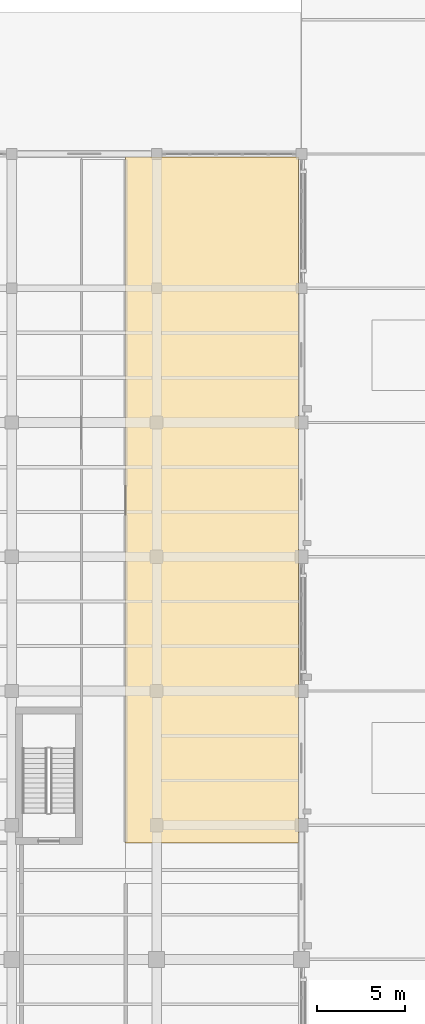
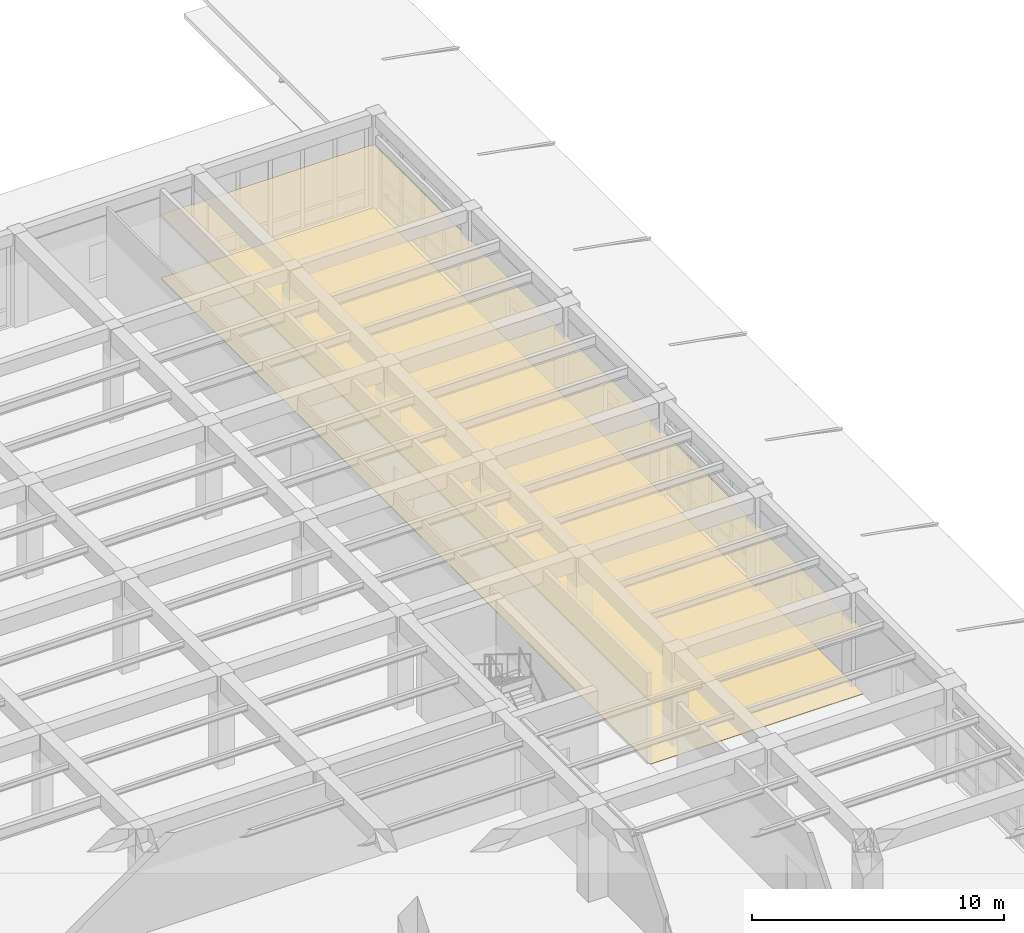
# One storey, part 56 of 57: 2 coverings.
"""IFC4 building model written with IfcOpenShell, lengths in metres."""

from ifc_helpers import new_model, si_unit, direction, frame, origin, place, context, subcontext, project, spatial, polyline, outline, extrude, material, layer, layer_set, type_object, element, save


model = new_model("IFC4")

# Units and contexts
model_context = context("Model", 3, precision=1e-05, world=origin(), true_north=direction((0.0, 1.0)))
body_context = subcontext(model_context, "Body", "Model", "MODEL_VIEW")
ifc_project = project(units=[si_unit("LENGTHUNIT", "METRE"), si_unit("AREAUNIT", "SQUARE_METRE"), si_unit("VOLUMEUNIT", "CUBIC_METRE"), si_unit("PLANEANGLEUNIT", "RADIAN"), si_unit("MASSUNIT", "GRAM", prefix="KILO")], contexts=[model_context])

# Site, building, storey
site_placement = place(None, origin())
site = spatial("IfcSite", under=ifc_project, at=site_placement, CompositionType="ELEMENT")
building_placement = place(site_placement, origin())
building = spatial("IfcBuilding", under=site, at=building_placement, Name="Qandaris Square Conservatory and Botanical Centre", CompositionType="ELEMENT")
storey_placement = place(building_placement, frame((0.0, 0.0, 5.39990234375)))
storey = spatial("IfcBuildingStorey", under=building, at=storey_placement, Name="L01", CompositionType="ELEMENT", Elevation=5.39990234375)

# Coverings
ifc_material_1 = material(Name="Gypsum Plasterboard", Category="gypsum")
ifc_layer_1 = layer(ifc_material_1, 0.02490234375)
ifc_layer_set_1 = layer_set([ifc_layer_1], Name="Gypsum Plasterboard")
covering_type_1 = type_object("IfcCoveringType", Name="Perforated Acoustic Lab Ceiling Tile", PredefinedType="CEILING", material=ifc_layer_set_1)
covering_1_placement = place(storey_placement, frame((0.0, 0.0, 3.050048828125)))
element("IfcCovering", 1, at=covering_1_placement, inside=storey, type_object=covering_type_1, Name="High-Resolution Herbarium Digitisation Suite Ceiling", PredefinedType="CEILING", context=body_context, shape_type="SweptSolid", body=[
    extrude(outline(polyline([(153.85009765625, 68.800048828125), (153.85009765625, 68.85009765625), (153.85009765625, 107.5), (153.85009765625, 107.6201171875), (163.6201171875, 107.6201171875), (163.6201171875, 68.800048828125), (153.85009765625, 68.800048828125)])), origin(), (0.0, 0.0, 1.0), 0.025146484375),
])
ifc_material_2 = material(Name="Epoxy Resin Screed", Category="finish")
ifc_layer_2 = layer(ifc_material_2, 0.014892578125)
ifc_layer_set_2 = layer_set([ifc_layer_2], Name="Epoxy Resin Screed")
covering_type_2 = type_object("IfcCoveringType", Name="Seamless Epoxy Laboratory Flooring", PredefinedType="FLOORING", material=ifc_layer_set_2)
covering_2_placement = place(storey_placement, origin())
element("IfcCovering", 2, at=covering_2_placement, inside=storey, type_object=covering_type_2, Name="High-Resolution Herbarium Digitisation Suite Flooring", PredefinedType="FLOORING", context=body_context, shape_type="SweptSolid", body=[
    extrude(outline(polyline([(153.85009765625, 68.800048828125), (153.85009765625, 68.85009765625), (153.85009765625, 107.5), (153.85009765625, 107.6201171875), (163.6201171875, 107.6201171875), (163.6201171875, 68.800048828125), (153.85009765625, 68.800048828125)])), origin(), (0.0, 0.0, 1.0), 0.01513671875),
])

save(model, "model.ifc")
